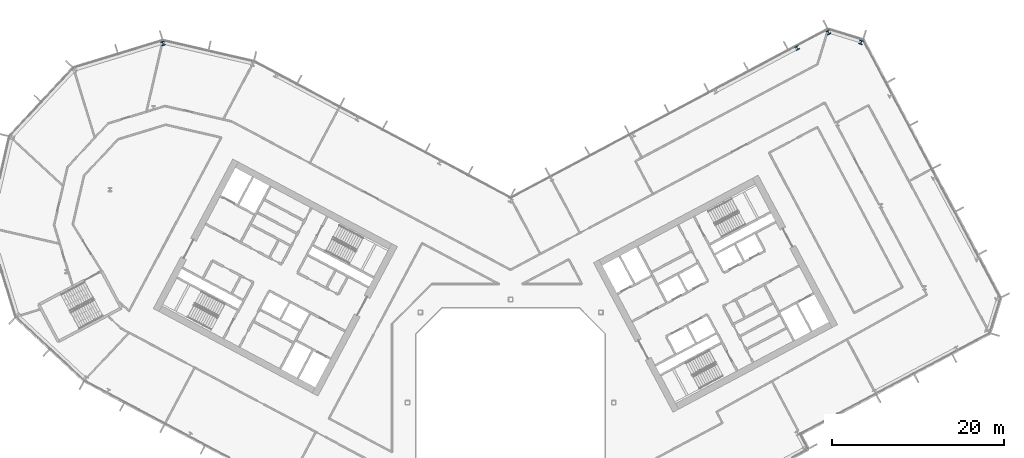
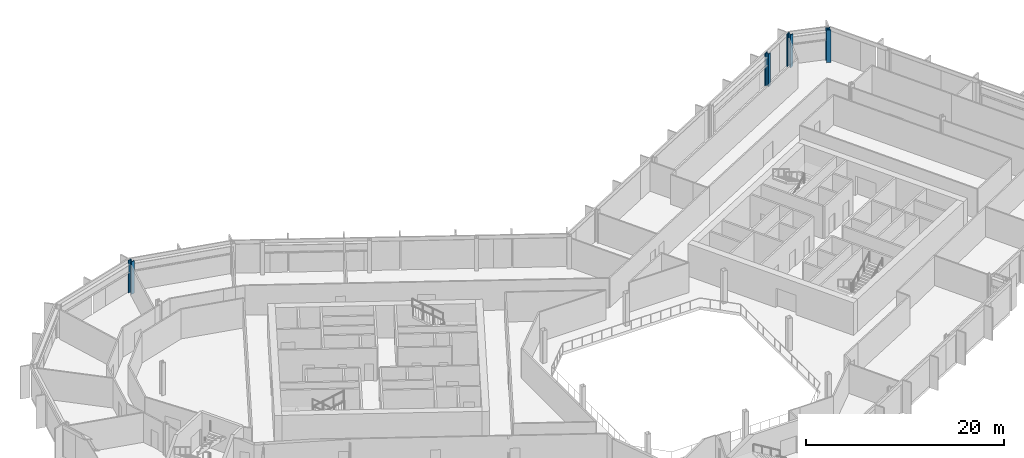
# One storey, part 8 of 28: 4 columns.
"""IFC4 building model written with IfcOpenShell, lengths in metres."""

from ifc_helpers import new_model, si_unit, direction, frame, origin, origin_2d, place, context, subcontext, project, spatial, i_section, extrude, material, material_profile, profile_set, type_object, element, save


model = new_model("IFC4")

# Units and contexts
model_context = context("Model", 3, precision=1e-05, world=origin(), true_north=direction((0.0, 1.0)))
body_context = subcontext(model_context, "Body", "Model", "MODEL_VIEW")
ifc_project = project(units=[si_unit("LENGTHUNIT", "METRE"), si_unit("AREAUNIT", "SQUARE_METRE"), si_unit("VOLUMEUNIT", "CUBIC_METRE"), si_unit("PLANEANGLEUNIT", "RADIAN"), si_unit("MASSUNIT", "GRAM", prefix="KILO")], contexts=[model_context])

# Site, building, storey
site_placement = place(None, origin())
site = spatial("IfcSite", under=ifc_project, at=site_placement, CompositionType="ELEMENT")
building_placement = place(site_placement, origin())
building = spatial("IfcBuilding", under=site, at=building_placement, Name="Cormorant Relay Tower", CompositionType="ELEMENT")
storey_placement = place(building_placement, frame((0.0, 0.0, 122.199951171875)))
storey = spatial("IfcBuildingStorey", under=building, at=storey_placement, Name="L24", CompositionType="ELEMENT", Elevation=122.199951171875)

# Columns
ifc_material_1 = material(Name="Steel ASTM A992 (Fy 345 MPa)", Category="steel")
ifc_material_profile_1 = material_profile(ifc_material_1, i_section(OverallWidth=0.41162109375, OverallDepth=0.434326171875, WebThickness=0.035888671875, FlangeThickness=0.057373046875, FilletRadius=0.01513671875, at=origin_2d()), Name="W360x463")
ifc_profile_set_1 = profile_set([ifc_material_profile_1], Name="Steel ASTM A992 (Fy 345 MPa)")
column_type_1 = type_object("IfcColumnType", Name="Column W360x463", PredefinedType="COLUMN", material=ifc_profile_set_1)
column_placement = place(storey_placement, frame((33.33203125, 41.258056640625, 0.0), z_axis=(0.0, 0.0, 1.0), x_axis=(-0.882947592859, -0.469471562786, 0.0)))
element("IfcColumn", 1, at=column_placement, inside=storey, type_object=column_type_1, Name="Column L24-047", PredefinedType="COLUMN", context=body_context, shape_type="SweptSolid", body=[
    extrude(i_section(OverallWidth=0.41162109375, OverallDepth=0.434326171875, WebThickness=0.035888671875, FlangeThickness=0.057373046875, FilletRadius=0.01513671875, at=origin_2d()), origin(), (0.0, 0.0, 1.0), 4.0),
])
ifc_material_2 = material(Name="Steel ASTM A992 (Fy 345 MPa)", Category="steel")
ifc_material_profile_2 = material_profile(ifc_material_2, i_section(OverallWidth=0.42431640625, OverallDepth=0.47509765625, WebThickness=0.0478515625, FlangeThickness=0.0771484375, FilletRadius=0.014892578125, at=origin_2d()), Name="W360x634")
ifc_profile_set_2 = profile_set([ifc_material_profile_2], Name="Steel ASTM A992 (Fy 345 MPa)")
column_type_2 = type_object("IfcColumnType", Name="Column W360x634", PredefinedType="COLUMN", material=ifc_profile_set_2)
for number, where, z_axis, x_axis, name in (
    (2, (-40.4541015625, 41.783935546875, 0.0), (0.0, 0.0, 1.0), (-0.956304755963, -0.292371704723, 0.0), "Column L24-048"),
    (3, (40.77197265625, 41.9130859375, 0.0), (0.0, 0.0, 1.0), (-0.956304755963, 0.292371704723, 0.0), "Column L24-049"),
    (4, (36.970947265625, 43.075927734375, 0.0), (0.0, 0.0, 1.0), (-0.882947592859, -0.469471562786, 0.0), "Column L24-050"),
):
    element("IfcColumn", number, at=place(storey_placement, frame(where, z_axis=z_axis, x_axis=x_axis)), inside=storey, type_object=column_type_2, Name=name, PredefinedType="COLUMN", context=body_context, shape_type="SweptSolid", body=[
        extrude(i_section(OverallWidth=0.42431640625, OverallDepth=0.47509765625, WebThickness=0.0478515625, FlangeThickness=0.0771484375, FilletRadius=0.014892578125, at=origin_2d()), origin(), (0.0, 0.0, 1.0), 4.0),
    ])

save(model, "model.ifc")
